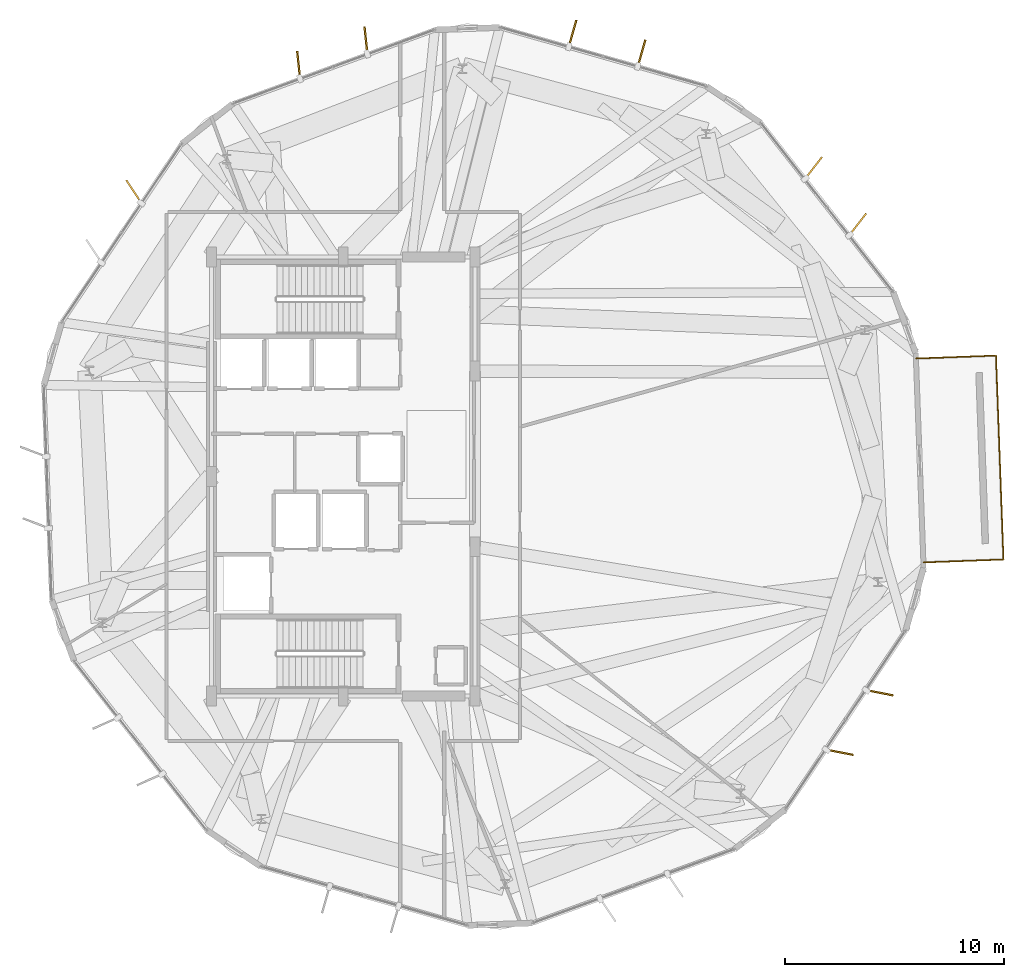
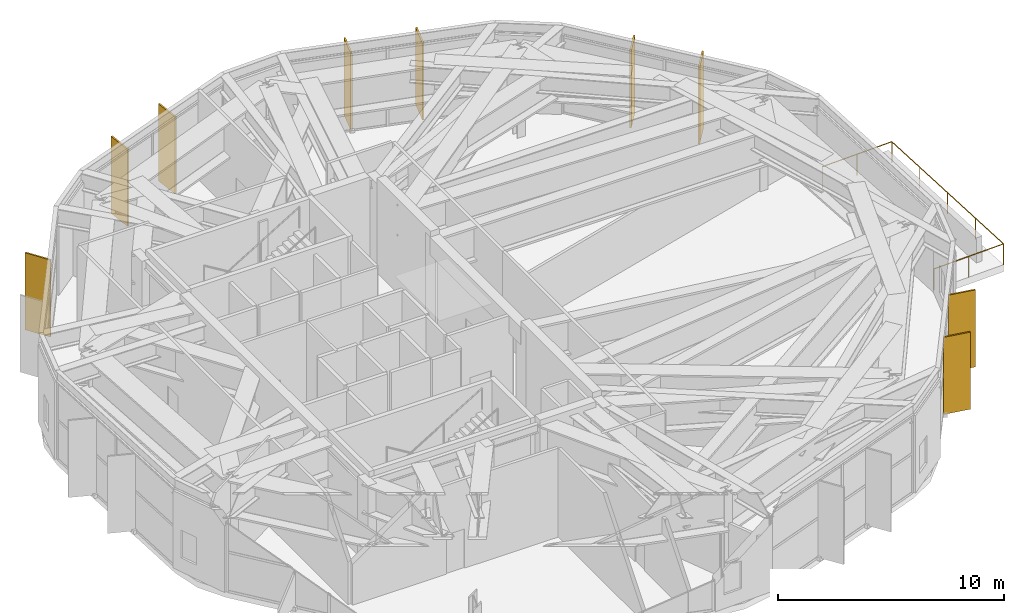
# One storey, part 30 of 30: 9 shading devices, 1 railing.
"""IFC4 building model written with IfcOpenShell, lengths in metres."""

from ifc_helpers import new_model, si_unit, direction, frame, origin, origin_2d, place, context, subcontext, project, spatial, rectangle, circle, extrude, material, layer, layer_set, type_object, element, save


model = new_model("IFC4")

# Units and contexts
model_context = context("Model", 3, precision=1e-05, world=origin(), true_north=direction((0.0, 1.0)))
body_context = subcontext(model_context, "Body", "Model", "MODEL_VIEW")
ifc_project = project(units=[si_unit("LENGTHUNIT", "METRE"), si_unit("AREAUNIT", "SQUARE_METRE"), si_unit("VOLUMEUNIT", "CUBIC_METRE"), si_unit("PLANEANGLEUNIT", "RADIAN"), si_unit("MASSUNIT", "GRAM", prefix="KILO")], contexts=[model_context])

# Site, building, storey
site_placement = place(None, origin())
site = spatial("IfcSite", under=ifc_project, at=site_placement, CompositionType="ELEMENT")
building_placement = place(site_placement, origin())
building = spatial("IfcBuilding", under=site, at=building_placement, Name="Soratama Intermodal Tower", CompositionType="ELEMENT")
storey_placement = place(building_placement, frame((0.0, 0.0, 237.39990234375)))
storey = spatial("IfcBuildingStorey", under=building, at=storey_placement, Name="L60", CompositionType="ELEMENT", Elevation=237.39990234375)

# Railing
ifc_material_1 = material(Name="Laminated glass and stainless steel balustrade", Category="steel")
railing_type = type_object("IfcRailingType", Name="RL-BAL-1150", PredefinedType="BALUSTRADE", material=ifc_material_1)
railing_placement = place(storey_placement, frame((64.71337890625, 30.374755859375, 0.0)))
element("IfcRailing", 1, at=railing_placement, inside=storey, type_object=railing_type, Name="L60 Sky Pool Balustrade", PredefinedType="BALUSTRADE", context=body_context, shape_type="SweptSolid", body=[
    extrude(circle(Radius=0.02392578125, at=origin_2d()), frame((0.0, 0.0, 1.1259765625), z_axis=(0.999327945761, 0.036655924784, 0.0), x_axis=(-0.036655924784, 0.999327945761, 0.0)), (0.0, 0.0, 1.0), 3.6298828125),
    extrude(circle(Radius=0.02392578125, at=origin_2d()), frame((3.62744140625, 0.133056640625, 1.1259765625), z_axis=(0.036656203637, -0.999327935532, 0.0), x_axis=(0.999327935532, 0.036656203637, 0.0)), (0.0, 0.0, 1.0), 9.2978515625),
    extrude(circle(Radius=0.02392578125, at=origin_2d()), frame((3.96826171875, -9.158447265625, 1.1259765625), z_axis=(-0.999330497311, -0.03658629723, 0.0), x_axis=(0.03658629723, -0.999330497311, 0.0)), (0.0, 0.0, 1.0), 3.630126953125),
    extrude(circle(Radius=0.02099609375, at=origin_2d()), origin(), (0.0, 0.0, 1.0), 1.101806640625),
    extrude(circle(Radius=0.02099609375, at=origin_2d()), frame((1.813720703125, 0.06640625, 0.0)), (0.0, 0.0, 1.0), 1.101806640625),
    extrude(circle(Radius=0.02099609375, at=origin_2d()), frame((3.62744140625, 0.133056640625, 0.0)), (0.0, 0.0, 1.0), 1.101806640625),
    extrude(circle(Radius=0.02099609375, at=origin_2d()), frame((3.712646484375, -2.18994140625, 0.0)), (0.0, 0.0, 1.0), 1.101806640625),
    extrude(circle(Radius=0.02099609375, at=origin_2d()), frame((3.7978515625, -4.5126953125, 0.0)), (0.0, 0.0, 1.0), 1.101806640625),
    extrude(circle(Radius=0.02099609375, at=origin_2d()), frame((3.883056640625, -6.83544921875, 0.0)), (0.0, 0.0, 1.0), 1.101806640625),
    extrude(circle(Radius=0.02099609375, at=origin_2d()), frame((3.96826171875, -9.158447265625, 0.0)), (0.0, 0.0, 1.0), 1.101806640625),
    extrude(circle(Radius=0.02099609375, at=origin_2d()), frame((2.154296875, -9.224853515625, 0.0)), (0.0, 0.0, 1.0), 1.101806640625),
    extrude(circle(Radius=0.02099609375, at=origin_2d()), frame((0.340576171875, -9.291259765625, 0.0)), (0.0, 0.0, 1.0), 1.101806640625),
])

# Shading devices
ifc_material_2 = material(Name="Champagne anodised aluminium solar fin", Category="aluminium")
ifc_layer = layer(ifc_material_2, 0.080078125)
ifc_layer_set = layer_set([ifc_layer], Name="Champagne anodised aluminium solar fin")
shading_device_type = type_object("IfcShadingDeviceType", Name="SH-FIN-1250", PredefinedType="USERDEFINED", material=ifc_layer_set)
for number, where, z_axis, x_axis, name in (
    (2, (52.192626953125, 44.28955078125, 0.02001953125), (0.0, 0.0, 1.0), (0.273959218692, 0.961741309549, 0.0), "L60 Solar Fin F01-1"),
    (3, (49.0517578125, 45.184326171875, 0.02001953125), (0.0, 0.0, 1.0), (0.273959218692, 0.961741309549, 0.0), "L60 Solar Fin F01-2"),
    (4, (39.63525390625, 44.869140625, 0.02001953125), (0.0, 0.0, 1.0), (-0.104354884861, 0.994540123879, 0.0), "L60 Solar Fin F02-1"),
    (5, (36.568359375, 43.74658203125, 0.02001953125), (0.0, 0.0, 1.0), (-0.104354884861, 0.994540123879, 0.0), "L60 Solar Fin F02-2"),
    (6, (29.05859375, 37.98095703125, 0.02001953125), (0.0, 0.0, 1.0), (-0.548585115048, 0.83609471446, 0.0), "L60 Solar Fin F03-1"),
    (7, (61.220458984375, 12.4345703125, 0.02001953125), (0.0, 0.0, 1.0), (0.98139333374, -0.192008136522, 0.0), "L60 Solar Fin F08-1"),
    (8, (63.0419921875, 15.145263671875, 0.02001953125), (0.0, 0.0, 1.0), (0.98139333374, -0.192008136522, 0.0), "L60 Solar Fin F08-2"),
    (9, (62.044921875, 36.489501953125, 0.02001953125), (0.0, 0.0, 1.0), (0.612769136253, 0.790261972801, 0.0), "L60 Solar Fin F10-1"),
    (10, (60.029541015625, 39.0595703125, 0.02001953125), (0.0, 0.0, 1.0), (0.612769136253, 0.790261972801, 0.0), "L60 Solar Fin F10-2"),
):
    element("IfcShadingDevice", number, at=place(storey_placement, frame(where, z_axis=z_axis, x_axis=x_axis)), inside=storey, type_object=shading_device_type, Name=name, ObjectType="FIN", PredefinedType="USERDEFINED", context=body_context, shape_type="SweptSolid", body=[
        extrude(rectangle(XDim=1.25, YDim=0.080078125, at=origin_2d()), origin(), (0.0, 0.0, 1.0), 4.158935546875),
    ])

save(model, "model.ifc")
